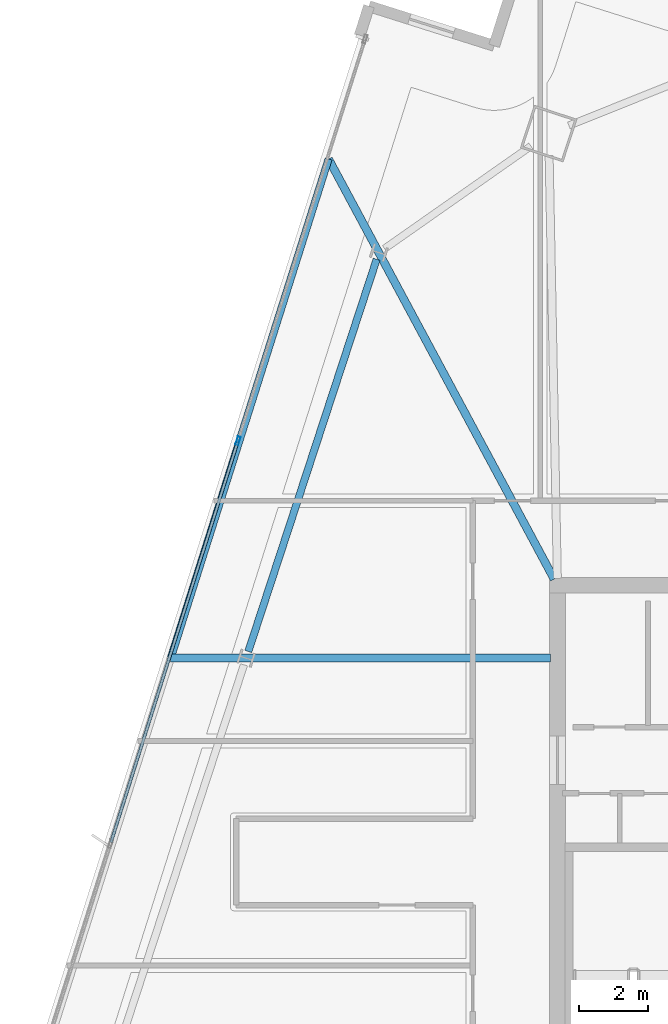
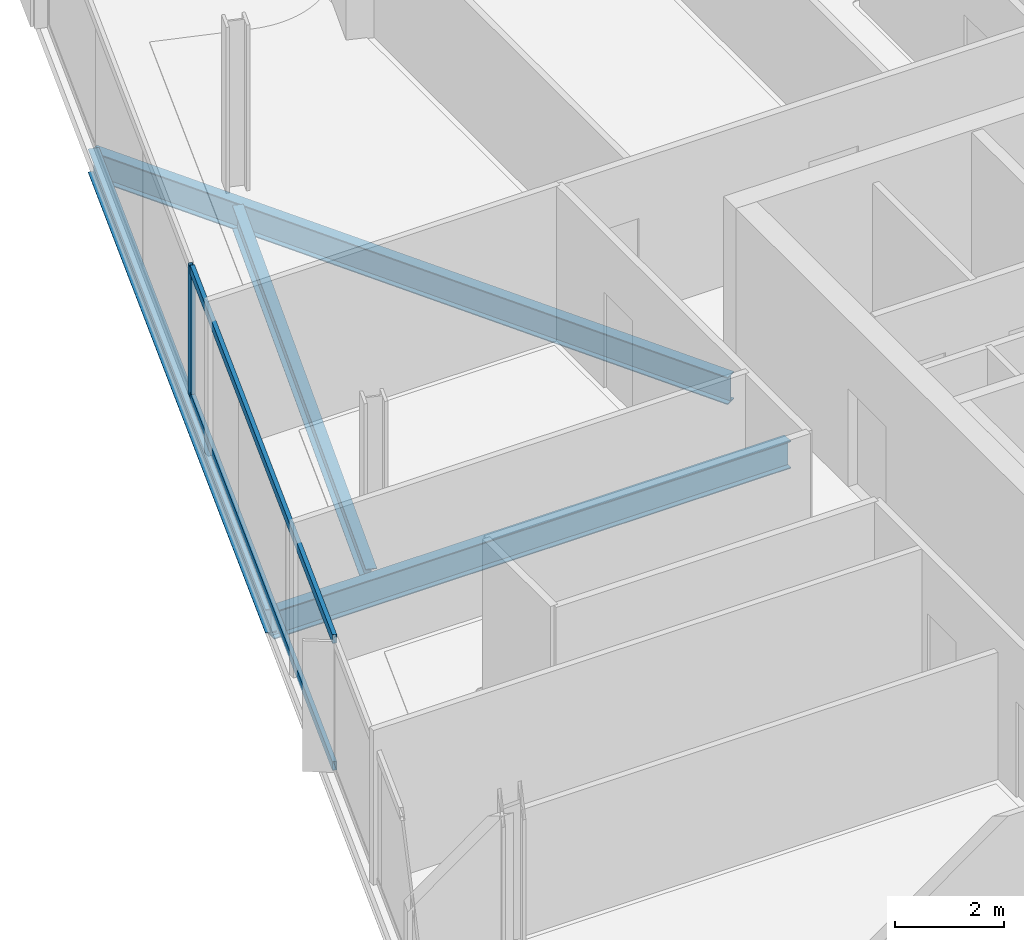
# One storey, part 11 of 26: 4 beams, 3 members, 1 element without a shape of its own.
"""IFC4 building model written with IfcOpenShell, lengths in metres."""

from ifc_helpers import new_model, si_unit, direction, frame, origin, origin_2d, place, context, subcontext, project, spatial, hollow_rectangle, i_section, extrude, material, material_profile, profile_set, type_object, element, aggregate, save


model = new_model("IFC4")

# Units and contexts
model_context = context("Model", 3, precision=1e-05, world=origin(), true_north=direction((0.0, 1.0)))
body_context = subcontext(model_context, "Body", "Model", "MODEL_VIEW")
ifc_project = project(units=[si_unit("LENGTHUNIT", "METRE"), si_unit("AREAUNIT", "SQUARE_METRE"), si_unit("VOLUMEUNIT", "CUBIC_METRE"), si_unit("PLANEANGLEUNIT", "RADIAN"), si_unit("MASSUNIT", "GRAM", prefix="KILO")], contexts=[model_context])

# Site, building, storey
site_placement = place(None, origin())
site = spatial("IfcSite", under=ifc_project, at=site_placement, CompositionType="ELEMENT")
building_placement = place(site_placement, origin())
building = spatial("IfcBuilding", under=site, at=building_placement, Name="Haldenkirk Collegiate Tower", CompositionType="ELEMENT")
storey_placement = place(building_placement, frame((0.0, 0.0, 271.199951171875)))
storey = spatial("IfcBuildingStorey", under=building, at=storey_placement, Name="L68", CompositionType="ELEMENT", Elevation=271.199951171875)

# Beams
ifc_material_1 = material(Name="Steel ASTM A992 Grade 50", Category="steel")
ifc_material_profile_1 = material_profile(ifc_material_1, i_section(OverallWidth=0.22998046875, OverallDepth=0.616943359375, WebThickness=0.01318359375, FlangeThickness=0.022216796875, at=origin_2d()), Name="W24X94")
ifc_profile_set_1 = profile_set([ifc_material_profile_1], Name="Steel ASTM A992 Grade 50")
beam_type_1 = type_object("IfcBeamType", Name="BM-GIRDER-W24X94", PredefinedType="BEAM", material=ifc_profile_set_1)
beam_1_placement = place(storey_placement, frame((20.37548828125, 46.33837890625, -0.578369140625), z_axis=(0.473039158313, -0.881041403512, 0.0), x_axis=(0.881041403512, 0.473039158313, 0.0)))
element("IfcBeam", 1, at=beam_1_placement, inside=storey, type_object=beam_type_1, Name="L68 primary floor girder 11", PredefinedType="BEAM", context=body_context, shape_type="SweptSolid", body=[
    extrude(i_section(OverallWidth=0.22998046875, OverallDepth=0.616943359375, WebThickness=0.01318359375, FlangeThickness=0.022216796875, at=origin_2d()), origin(), (0.0, 0.0, 1.0), 13.79931640625),
])
beam_2_placement = place(storey_placement, frame((15.807373046875, 31.8935546875, -0.578369140625), z_axis=(1.0, 0.0, 0.0), x_axis=(0.0, 1.0, 0.0)))
element("IfcBeam", 2, at=beam_2_placement, inside=storey, type_object=beam_type_1, Name="L68 primary floor girder 12", PredefinedType="BEAM", context=body_context, shape_type="SweptSolid", body=[
    extrude(i_section(OverallWidth=0.22998046875, OverallDepth=0.616943359375, WebThickness=0.01318359375, FlangeThickness=0.022216796875, at=origin_2d()), origin(), (0.0, 0.0, 1.0), 10.987548828125),
])
ifc_material_profile_2 = material_profile(ifc_material_1, i_section(OverallWidth=0.2099609375, OverallDepth=0.537109375, WebThickness=0.010986328125, FlangeThickness=0.017333984375, at=origin_2d()), Name="W21X68")
ifc_profile_set_2 = profile_set([ifc_material_profile_2], Name="Steel ASTM A992 Grade 50")
beam_type_2 = type_object("IfcBeamType", Name="BM-SPANDREL-W21X68", PredefinedType="SPANDREL", material=ifc_profile_set_2)
beam_3_placement = place(storey_placement, frame((21.76708984375, 43.436767578125, -0.538330078125), z_axis=(-0.311010188249, -0.950406577631, 0.0), x_axis=(0.950406577631, -0.311010188249, 0.0)))
element("IfcBeam", 3, at=beam_3_placement, inside=storey, type_object=beam_type_2, Name="L68 perimeter spandrel beam 10", PredefinedType="SPANDREL", context=body_context, shape_type="SweptSolid", body=[
    extrude(i_section(OverallWidth=0.2099609375, OverallDepth=0.537109375, WebThickness=0.010986328125, FlangeThickness=0.017333984375, at=origin_2d()), origin(), (0.0, 0.0, 1.0), 11.94287109375),
])
beam_4_placement = place(storey_placement, frame((20.37548828125, 46.33837890625, -0.538330078125), z_axis=(-0.301526990636, -0.953457641386, 0.0), x_axis=(0.953457641386, -0.301526990636, 0.0)))
element("IfcBeam", 4, at=beam_4_placement, inside=storey, type_object=beam_type_2, Name="L68 outer facade edge beam 3A", PredefinedType="SPANDREL", context=body_context, shape_type="SweptSolid", body=[
    extrude(i_section(OverallWidth=0.2099609375, OverallDepth=0.537109375, WebThickness=0.010986328125, FlangeThickness=0.017333984375, at=origin_2d()), origin(), (0.0, 0.0, 1.0), 15.14990234375),
])

# Curtain wall, members
ifc_material_2 = material(Name="Anodised architectural bronze aluminium", Category="aluminium")
curtain_wall_type = type_object("IfcCurtainWallType", Name="CW-SYS1B-CONVEX-HI", PredefinedType="USERDEFINED", material=ifc_material_2)
curtain_wall_placement = place(storey_placement, origin())
curtain_wall = element("IfcCurtainWall", 5, at=curtain_wall_placement, inside=storey, type_object=curtain_wall_type, Name="L68 Upper tower high-wind convex bronze unitised curtain wall", ObjectType="UNITISED CURTAIN WALL", PredefinedType="USERDEFINED")
ifc_material_profile_3 = material_profile(ifc_material_2, hollow_rectangle(XDim=0.0849609375, YDim=0.25, WallThickness=0.0048828125, at=origin_2d()), Name="CW-MUL-1B")
ifc_profile_set_3 = profile_set([ifc_material_profile_3], Name="Anodised architectural bronze aluminium")
member_type_1 = type_object("IfcMemberType", Name="CW-MUL-1B", PredefinedType="MULLION", material=ifc_profile_set_3)
member_1_placement = place(storey_placement, frame((17.755126953125, 38.185302734375, 0.0), z_axis=(0.0, 0.0, 1.0), x_axis=(-0.953454589166, 0.301536641884, 0.0)))
member_1 = element("IfcMember", 6, at=member_1_placement, type_object=member_type_1, Name="CW-1B mullion 3", PredefinedType="MULLION", context=body_context, shape_type="SweptSolid", body=[
    extrude(hollow_rectangle(XDim=0.0849609375, YDim=0.25, WallThickness=0.0048828125, at=origin_2d()), origin(), (0.0, 0.0, 1.0), 2.93798828125),
])
ifc_material_profile_4 = material_profile(ifc_material_2, hollow_rectangle(XDim=0.0849609375, YDim=0.199951171875, WallThickness=0.0048828125, at=origin_2d()), Name="CW-TRN-1B")
ifc_profile_set_4 = profile_set([ifc_material_profile_4], Name="Anodised architectural bronze aluminium")
member_type_2 = type_object("IfcMemberType", Name="CW-TRN-1B", PredefinedType="USERDEFINED", material=ifc_profile_set_4)
member_2_placement = place(storey_placement, frame((14.0791015625, 26.56201171875, 0.04248046875), z_axis=(0.30153337974, 0.953455620835, 0.0), x_axis=(-0.953455620835, 0.30153337974, 0.0)))
member_2 = element("IfcMember", 7, at=member_2_placement, type_object=member_type_2, Name="CW-1B transom 2.1", ObjectType="TRANSOM", PredefinedType="USERDEFINED", context=body_context, shape_type="SweptSolid", body=[
    extrude(hollow_rectangle(XDim=0.0849609375, YDim=0.199951171875, WallThickness=0.0048828125, at=origin_2d()), origin(), (0.0, 0.0, 1.0), 12.148193359375),
])
member_3_placement = place(storey_placement, frame((14.0791015625, 26.56201171875, 2.8955078125), z_axis=(0.30153337974, 0.953455620835, 0.0), x_axis=(-0.953455620835, 0.30153337974, 0.0)))
member_3 = element("IfcMember", 8, at=member_3_placement, type_object=member_type_2, Name="CW-1B transom 2.2", ObjectType="TRANSOM", PredefinedType="USERDEFINED", context=body_context, shape_type="SweptSolid", body=[
    extrude(hollow_rectangle(XDim=0.0849609375, YDim=0.199951171875, WallThickness=0.0048828125, at=origin_2d()), origin(), (0.0, 0.0, 1.0), 12.148193359375),
])
aggregate(curtain_wall, [member_1, member_2, member_3])

save(model, "model.ifc")
